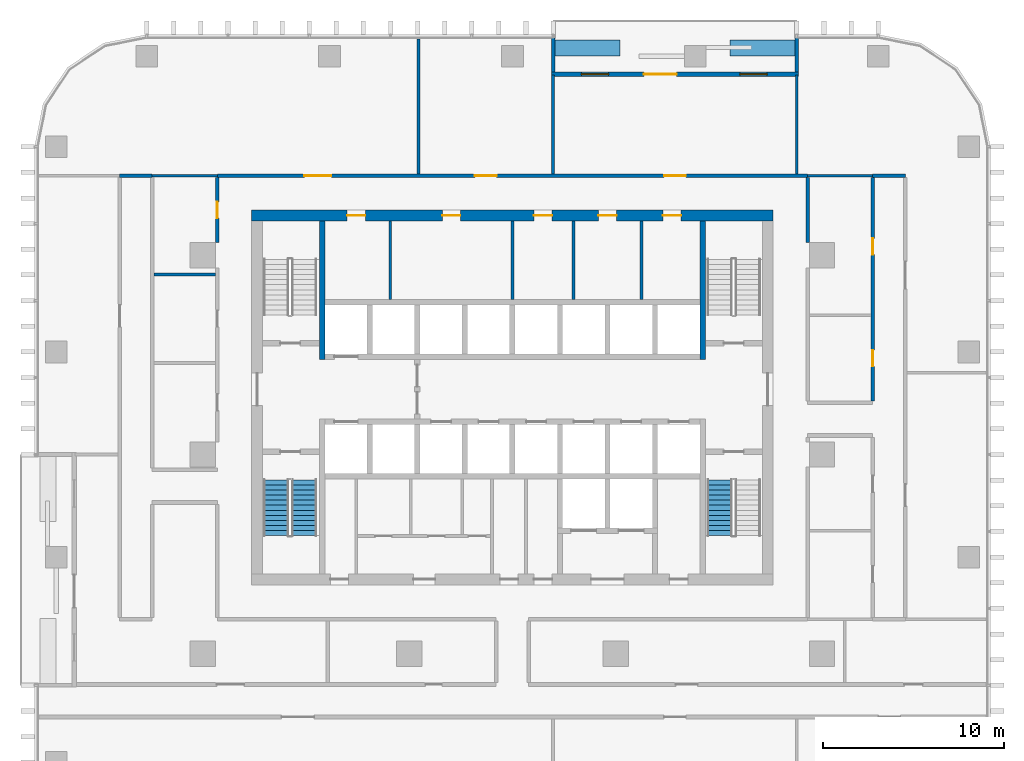
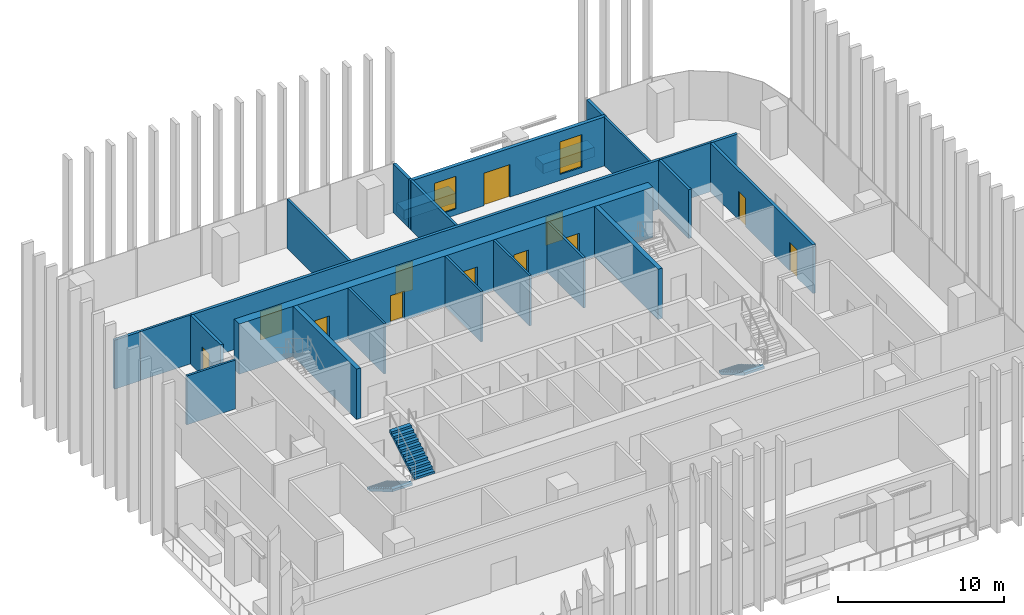
# One storey, part 10 of 16: 24 walls, 12 doors, 3 stair flights, 2 windows, 14 openings, 2 elements without a shape of their own.
"""IFC4 building model written with IfcOpenShell, lengths in metres."""

import ifcopenshell
import ifcopenshell.guid

model = None  # the IFC model being written
_history = None  # IfcOwnerHistory: only IFC2X3 demands one
_inside = {}  # id of a spatial element -> (the spatial element, [elements in it])
_under = {}  # id of a project, library or spatial element -> (it, [spatial elements below it])
_declared = {}  # id of a project -> (the project, [libraries it declares])
_typed = {}  # id of a type object -> (the type object, [elements of that type])
_made_of = {}  # id of a material, layer set ... -> (it, [elements and type objects made of it])


def new_model(schema):
    """Start an empty IFC model of exactly this schema.

    Asked for "IFC4X3", IfcOpenShell would pick the latest addendum, in which some entities
    have other attributes; the version numbers below select the first issue.
    IFC2X3 requires an IfcOwnerHistory on every rooted entity: one is made here for all.
    """
    global model, _history
    if schema == "IFC4X3":
        model = ifcopenshell.file(schema_version=(4, 3, 0, 0))
    else:
        model = ifcopenshell.file(schema=schema)
    _inside.clear()
    _under.clear()
    _declared.clear()
    _typed.clear()
    _made_of.clear()
    _history = None
    if model.schema == "IFC2X3":
        org = make("IfcOrganization", Name="unknown")
        user = make(
            "IfcPersonAndOrganization",
            ThePerson=make("IfcPerson", FamilyName="unknown"),
            TheOrganization=org,
        )
        app = make(
            "IfcApplication",
            ApplicationDeveloper=org,
            Version="unknown",
            ApplicationFullName="unknown",
            ApplicationIdentifier="unknown",
        )
        _history = make(
            "IfcOwnerHistory",
            OwningUser=user,
            OwningApplication=app,
            ChangeAction="ADDED",
            CreationDate=0,
        )
    return model


def make(cls, **values):
    """One entity of the class cls with the attributes given. An attribute that is None is left unset."""
    return model.create_entity(
        cls, **{name: value for name, value in values.items() if value is not None}
    )


def rooted(cls, **values):
    """An entity with a GlobalId (a new one), such as an element, a storey or a relation."""
    return make(cls, GlobalId=ifcopenshell.guid.new(), OwnerHistory=_history, **values)


def si_unit(unit_type, name, prefix=None):
    """IfcSIUnit, for example si_unit("LENGTHUNIT", "METRE", prefix="MILLI")."""
    return make("IfcSIUnit", UnitType=unit_type, Prefix=prefix, Name=name)


def assignment(units):
    """IfcUnitAssignment: the units of a project."""
    return None if units is None else make("IfcUnitAssignment", Units=units)


def point(xyz):
    """IfcCartesianPoint."""
    return None if xyz is None else make("IfcCartesianPoint", Coordinates=xyz)


def direction(xyz):
    """IfcDirection."""
    return None if xyz is None else make("IfcDirection", DirectionRatios=xyz)


def frame(location, z_axis=None, x_axis=None):
    """IfcAxis2Placement3D, a coordinate frame: its origin and axes. An axis left out is left unset."""
    return make(
        "IfcAxis2Placement3D",
        Location=point(location),
        Axis=direction(z_axis),
        RefDirection=direction(x_axis),
    )


def frame_2d(location, x_axis=None):
    """IfcAxis2Placement2D, a coordinate frame in the plane: its origin and x axis."""
    return make(
        "IfcAxis2Placement2D", Location=point(location), RefDirection=direction(x_axis)
    )


def origin():
    """The frame at (0, 0, 0) with its axes left unset."""
    return frame((0.0, 0.0, 0.0))


def place(relative_to, where):
    """IfcLocalPlacement: puts the frame where relative to a parent placement (None: the world)."""
    return make(
        "IfcLocalPlacement", PlacementRelTo=relative_to, RelativePlacement=where
    )


def context(
    kind, dimensions, precision=None, world=None, true_north=None, identifier=None
):
    """IfcGeometricRepresentationContext, for example the 3D "Model" context."""
    return make(
        "IfcGeometricRepresentationContext",
        ContextIdentifier=identifier,
        ContextType=kind,
        CoordinateSpaceDimension=dimensions,
        Precision=precision,
        WorldCoordinateSystem=world,
        TrueNorth=true_north,
    )


def subcontext(parent, identifier, kind, view, scale=None):
    """IfcGeometricRepresentationSubContext, for example "Body" below "Model"."""
    return make(
        "IfcGeometricRepresentationSubContext",
        ContextIdentifier=identifier,
        ContextType=kind,
        ParentContext=parent,
        TargetScale=scale,
        TargetView=view,
    )


def project(units=None, contexts=None):
    """IfcProject with its units and contexts."""
    return rooted(
        "IfcProject",
        Name="project",
        RepresentationContexts=contexts,
        UnitsInContext=assignment(units),
    )


def spatial(cls, under=None, at=None, **own):
    """A site, building, storey or space (cls), placed at a placement, below another one or the project."""
    s = rooted(cls, ObjectPlacement=at, **own)
    if under is not None:
        _under.setdefault(under.id(), (under, []))[1].append(s)
    return s


def polyline(points):
    """IfcPolyline through the points."""
    return make("IfcPolyline", Points=[point(p) for p in points])


def profile(cls, at=None, kind="AREA", **sizes):
    """A parametric profile (cls). Its sizes go by their IFC names, for example OverallWidth=200.0."""
    return make(cls, ProfileType=kind, Position=at, **sizes)


def rectangle(**sizes):
    """IfcRectangleProfileDef."""
    return profile("IfcRectangleProfileDef", **sizes)


def outline(outer, holes=None, kind="AREA"):
    """IfcArbitraryClosedProfileDef: a profile drawn as a closed curve; with holes, ...WithVoids."""
    if holes is None:
        return make("IfcArbitraryClosedProfileDef", ProfileType=kind, OuterCurve=outer)
    return make(
        "IfcArbitraryProfileDefWithVoids",
        ProfileType=kind,
        OuterCurve=outer,
        InnerCurves=holes,
    )


def extrude(swept, where, along, depth):
    """IfcExtrudedAreaSolid: the profile swept, set in the frame where, extruded along a direction by depth."""
    return make(
        "IfcExtrudedAreaSolid",
        SweptArea=swept,
        Position=where,
        ExtrudedDirection=direction(along),
        Depth=depth,
    )


def shape(context_of_items, identifier, shape_type, items):
    """IfcShapeRepresentation: the items that make up one representation, for example the "Body"."""
    return make(
        "IfcShapeRepresentation",
        ContextOfItems=context_of_items,
        RepresentationIdentifier=identifier,
        RepresentationType=shape_type,
        Items=items,
    )


def material(Name=None, Category=None):
    """IfcMaterial."""
    return make("IfcMaterial", Name=Name, Category=Category)


def layer(
    of_material, thickness, ventilated=None, Name=None, Category=None, Priority=None
):
    """IfcMaterialLayer: one layer of a wall or slab, of a material (None: an air gap)."""
    return make(
        "IfcMaterialLayer",
        Material=of_material,
        LayerThickness=thickness,
        IsVentilated=ventilated,
        Name=Name,
        Category=Category,
        Priority=Priority,
    )


def layer_set(layers, Name=None):
    """IfcMaterialLayerSet."""
    return make("IfcMaterialLayerSet", MaterialLayers=layers, LayerSetName=Name)


def made_of(thing, what):
    """Note that an element or type object is made of a material, layer set ...; save() writes the relation."""
    if what is not None:
        _made_of.setdefault(what.id(), (what, []))[1].append(thing)
    return thing


def type_object(cls, material=None, **own):
    """A type object (cls), such as IfcWallType, which elements share."""
    return made_of(rooted(cls, **own), material)


def element(
    cls,
    number,
    at=None,
    inside=None,
    cuts=None,
    type_object=None,
    material=None,
    context=None,
    identifier="Body",
    shape_type=None,
    held_by="IfcProductDefinitionShape",
    body=None,
    shapes=None,
    **own,
):
    """One element of the class cls, such as IfcWall. Its Tag is "e" and its number.

    at: its placement. inside: the storey or other place that contains it. cuts: it is an
    opening in that element (IfcRelVoidsElement). A single representation is given by context,
    identifier, shape_type and body (its items); several are given by shapes. held_by: the class
    of the entity that holds the representations. save() writes the other relations.
    """
    e = rooted(cls, Tag="e%d" % number, ObjectPlacement=at, **own)
    if body is not None:
        shapes = [shape(context, identifier, shape_type, body)]
    if shapes is not None:
        e.Representation = make(held_by, Representations=shapes)
    if inside is not None:
        _inside.setdefault(inside.id(), (inside, []))[1].append(e)
    if cuts is not None:
        rooted(
            "IfcRelVoidsElement", RelatingBuildingElement=cuts, RelatedOpeningElement=e
        )
    if type_object is not None:
        _typed.setdefault(type_object.id(), (type_object, []))[1].append(e)
    return made_of(e, material)


def fill(opening, filler):
    """IfcRelFillsElement: the door or window that sits in an opening."""
    return rooted(
        "IfcRelFillsElement",
        RelatingOpeningElement=opening,
        RelatedBuildingElement=filler,
    )


def aggregate(whole, parts):
    """IfcRelAggregates: a whole, such as a stair, and the parts it consists of."""
    return rooted("IfcRelAggregates", RelatingObject=whole, RelatedObjects=parts)


def save(model, path):
    """Write the relations noted so far, then the file.

    IfcRelAggregates (storeys below a building ...), IfcRelContainedInSpatialStructure (elements
    in a storey), IfcRelDefinesByType, IfcRelAssociatesMaterial and IfcRelDeclares: one each for
    every whole, place, type object, material and project.
    """
    for whole, parts in _under.values():
        aggregate(whole, parts)
    for where, things in _inside.values():
        rooted(
            "IfcRelContainedInSpatialStructure",
            RelatedElements=things,
            RelatingStructure=where,
        )
    for kind, things in _typed.values():
        rooted("IfcRelDefinesByType", RelatedObjects=things, RelatingType=kind)
    for what, things in _made_of.values():
        rooted("IfcRelAssociatesMaterial", RelatedObjects=things, RelatingMaterial=what)
    for by, libraries in _declared.values():
        rooted("IfcRelDeclares", RelatingContext=by, RelatedDefinitions=libraries)
    model.write(path)


model = new_model("IFC4")

# Units and contexts
model_context = context("Model", 3, precision=1e-05, world=origin(), true_north=direction((0.0, 1.0)))
body_context = subcontext(model_context, "Body", "Model", "MODEL_VIEW")
ifc_project = project(units=[si_unit("LENGTHUNIT", "METRE"), si_unit("AREAUNIT", "SQUARE_METRE"), si_unit("VOLUMEUNIT", "CUBIC_METRE"), si_unit("PLANEANGLEUNIT", "RADIAN"), si_unit("MASSUNIT", "GRAM", prefix="KILO")], contexts=[model_context])

# Site, building, storey
site_placement = place(None, origin())
site = spatial("IfcSite", under=ifc_project, at=site_placement, CompositionType="ELEMENT")
building_placement = place(site_placement, origin())
building = spatial("IfcBuilding", under=site, at=building_placement, Name="Mopane Tessera Tower", CompositionType="ELEMENT")
storey_placement = place(building_placement, frame((0.0, 0.0, 181.0)))
storey = spatial("IfcBuildingStorey", under=building, at=storey_placement, Name="L37", CompositionType="ELEMENT", Elevation=181.0)

# Walls
ifc_material_1 = material(Name="Fire-rated gypsum board partition")
ifc_layer_1 = layer(ifc_material_1, 0.14990234375)
ifc_layer_set_1 = layer_set([ifc_layer_1], Name="Fire-rated gypsum board partition")
wall_type_1 = type_object("IfcWallType", Name="Core room partition 150 mm", PredefinedType="PARTITIONING", material=ifc_layer_set_1)
for number, where, z_axis, x_axis, name in (
    (1, (-6.75, 8.550048828125, 0.0), (0.0, 0.0, 1.0), (0.0, 1.0, 0.0), "L37 Room partition"),
    (2, (0.0, 8.550048828125, 0.0), (0.0, 0.0, 1.0), (0.0, 1.0, 0.0), "L37 Room partition"),
    (3, (3.375, 8.550048828125, 0.0), (0.0, 0.0, 1.0), (0.0, 1.0, 0.0), "L37 Room partition"),
    (4, (7.125, 8.550048828125, 0.0), (0.0, 0.0, 1.0), (0.0, 1.0, 0.0), "L37 Room partition"),
):
    element("IfcWall", number, at=place(storey_placement, frame(where, z_axis=z_axis, x_axis=x_axis)), inside=storey, type_object=wall_type_1, Name=name, PredefinedType="PARTITIONING", context=body_context, shape_type="SweptSolid", body=[
        extrude(rectangle(XDim=4.349853515625, YDim=0.14990234375, at=frame_2d((2.1748046875, 0.0))), origin(), (0.0, 0.0, 1.0), 3.699951171875),
    ])

# Wall, openings, doors
ifc_material_2 = material(Name="Concrete C70/85", Category="concrete")
ifc_layer_2 = layer(ifc_material_2, 0.60009765625)
ifc_layer_set_2 = layer_set([ifc_layer_2], Name="Concrete C70/85")
wall_type_2 = type_object("IfcWallType", Name="Core shear wall 600 mm", PredefinedType="SHEAR", material=ifc_layer_set_2)
wall_1_placement = place(storey_placement, frame((-14.39990234375, 13.199951171875, 0.0), z_axis=(0.0, 0.0, 1.0), x_axis=(1.0, 0.0, 0.0)))
wall_1 = element("IfcWall", 5, at=wall_1_placement, inside=storey, type_object=wall_type_2, Name="L37 Core wall north", PredefinedType="SHEAR", context=body_context, shape_type="SweptSolid", body=[
    extrude(rectangle(XDim=28.7998046875, YDim=0.60009765625, at=frame_2d((14.39990234375, 0.0))), origin(), (0.0, 0.0, 1.0), 3.699951171875),
])
opening_1_placement = place(wall_1_placement, frame((5.27490234375, 0.0, 0.0)))
opening_1 = element("IfcOpeningElement", 6, at=opening_1_placement, cuts=wall_1, Name="Opening RD1", PredefinedType="OPENING", context=body_context, shape_type="SweptSolid", body=[
    extrude(rectangle(XDim=1.0, YDim=2.10009765625, at=frame_2d((0.5, 1.050048828125))), frame((0.0, 0.31201171875, 0.0), z_axis=(0.0, -1.0, 0.0), x_axis=(1.0, 0.0, 0.0)), (0.0, 0.0, 1.0), 0.6240234375),
])
opening_2_placement = place(wall_1_placement, frame((10.52490234375, 0.0, 0.0)))
opening_2 = element("IfcOpeningElement", 7, at=opening_2_placement, cuts=wall_1, Name="Opening RD1", PredefinedType="OPENING", context=body_context, shape_type="SweptSolid", body=[
    extrude(rectangle(XDim=1.0, YDim=2.10009765625, at=frame_2d((0.5, 1.050048828125))), frame((0.0, 0.31201171875, 0.0), z_axis=(0.0, -1.0, 0.0), x_axis=(1.0, 0.0, 0.0)), (0.0, 0.0, 1.0), 0.6240234375),
])
opening_3_placement = place(wall_1_placement, frame((15.58740234375, 0.0, 0.0)))
opening_3 = element("IfcOpeningElement", 8, at=opening_3_placement, cuts=wall_1, Name="Opening RD1", PredefinedType="OPENING", context=body_context, shape_type="SweptSolid", body=[
    extrude(rectangle(XDim=1.0, YDim=2.10009765625, at=frame_2d((0.5, 1.050048828125))), frame((0.0, 0.31201171875, 0.0), z_axis=(0.0, -1.0, 0.0), x_axis=(1.0, 0.0, 0.0)), (0.0, 0.0, 1.0), 0.6240234375),
])
opening_4_placement = place(wall_1_placement, frame((19.14990234375, 0.0, 0.0)))
opening_4 = element("IfcOpeningElement", 9, at=opening_4_placement, cuts=wall_1, Name="Opening RD1", PredefinedType="OPENING", context=body_context, shape_type="SweptSolid", body=[
    extrude(rectangle(XDim=1.0, YDim=2.10009765625, at=frame_2d((0.5, 1.050048828125))), frame((0.0, 0.31201171875, 0.0), z_axis=(0.0, -1.0, 0.0), x_axis=(1.0, 0.0, 0.0)), (0.0, 0.0, 1.0), 0.6240234375),
])
opening_5_placement = place(wall_1_placement, frame((22.71240234375, 0.0, 0.0)))
opening_5 = element("IfcOpeningElement", 10, at=opening_5_placement, cuts=wall_1, Name="Opening RD1", PredefinedType="OPENING", context=body_context, shape_type="SweptSolid", body=[
    extrude(rectangle(XDim=1.0, YDim=2.10009765625, at=frame_2d((0.5, 1.050048828125))), frame((0.0, 0.31201171875, 0.0), z_axis=(0.0, -1.0, 0.0), x_axis=(1.0, 0.0, 0.0)), (0.0, 0.0, 1.0), 0.6240234375),
])
ifc_material_3 = material(Name="Timber door", Category="wood")
door_type_1 = type_object("IfcDoorType", Name="Core room door 1000 x 2100", OperationType="SINGLE_SWING_LEFT", PredefinedType="DOOR", material=ifc_material_3)
door_1_placement = place(opening_1_placement, origin())
door_1 = element("IfcDoor", 11, at=door_1_placement, inside=storey, type_object=door_type_1, Name="L37 Room door", OperationType="SINGLE_SWING_LEFT", OverallHeight=2.10009765625, OverallWidth=1.0, PredefinedType="DOOR", context=body_context, shape_type="SweptSolid", body=[
    extrude(rectangle(XDim=1.0, YDim=2.10009765625, at=frame_2d((0.5, 1.050048828125))), frame((0.0, 0.02490234375, 0.0), z_axis=(0.0, -1.0, 0.0), x_axis=(1.0, 0.0, 0.0)), (0.0, 0.0, 1.0), 0.050048828125),
])
fill(opening_1, door_1)
door_2_placement = place(opening_2_placement, origin())
door_2 = element("IfcDoor", 12, at=door_2_placement, inside=storey, type_object=door_type_1, Name="L37 Room door", OperationType="SINGLE_SWING_LEFT", OverallHeight=2.10009765625, OverallWidth=1.0, PredefinedType="DOOR", context=body_context, shape_type="SweptSolid", body=[
    extrude(rectangle(XDim=1.0, YDim=2.10009765625, at=frame_2d((0.5, 1.050048828125))), frame((0.0, 0.02490234375, 0.0), z_axis=(0.0, -1.0, 0.0), x_axis=(1.0, 0.0, 0.0)), (0.0, 0.0, 1.0), 0.050048828125),
])
fill(opening_2, door_2)
door_3_placement = place(opening_3_placement, origin())
door_3 = element("IfcDoor", 13, at=door_3_placement, inside=storey, type_object=door_type_1, Name="L37 Room door", OperationType="SINGLE_SWING_LEFT", OverallHeight=2.10009765625, OverallWidth=1.0, PredefinedType="DOOR", context=body_context, shape_type="SweptSolid", body=[
    extrude(rectangle(XDim=1.0, YDim=2.10009765625, at=frame_2d((0.5, 1.050048828125))), frame((0.0, 0.02490234375, 0.0), z_axis=(0.0, -1.0, 0.0), x_axis=(1.0, 0.0, 0.0)), (0.0, 0.0, 1.0), 0.050048828125),
])
fill(opening_3, door_3)
door_4_placement = place(opening_4_placement, origin())
door_4 = element("IfcDoor", 14, at=door_4_placement, inside=storey, type_object=door_type_1, Name="L37 Room door", OperationType="SINGLE_SWING_LEFT", OverallHeight=2.10009765625, OverallWidth=1.0, PredefinedType="DOOR", context=body_context, shape_type="SweptSolid", body=[
    extrude(rectangle(XDim=1.0, YDim=2.10009765625, at=frame_2d((0.5, 1.050048828125))), frame((0.0, 0.02490234375, 0.0), z_axis=(0.0, -1.0, 0.0), x_axis=(1.0, 0.0, 0.0)), (0.0, 0.0, 1.0), 0.050048828125),
])
fill(opening_4, door_4)
door_5_placement = place(opening_5_placement, origin())
door_5 = element("IfcDoor", 15, at=door_5_placement, inside=storey, type_object=door_type_1, Name="L37 Room door", OperationType="SINGLE_SWING_LEFT", OverallHeight=2.10009765625, OverallWidth=1.0, PredefinedType="DOOR", context=body_context, shape_type="SweptSolid", body=[
    extrude(rectangle(XDim=1.0, YDim=2.10009765625, at=frame_2d((0.5, 1.050048828125))), frame((0.0, 0.02490234375, 0.0), z_axis=(0.0, -1.0, 0.0), x_axis=(1.0, 0.0, 0.0)), (0.0, 0.0, 1.0), 0.050048828125),
])
fill(opening_5, door_5)

# Walls
ifc_material_4 = material(Name="Concrete C60/75", Category="concrete")
ifc_layer_3 = layer(ifc_material_4, 0.300048828125)
ifc_layer_set_3 = layer_set([ifc_layer_3], Name="Concrete C60/75")
wall_type_3 = type_object("IfcWallType", Name="Core spine wall 300 mm", PredefinedType="SHEAR", material=ifc_layer_set_3)
for number, where, z_axis, x_axis, name in (
    (16, (-10.5, 5.25, 0.0), (0.0, 0.0, 1.0), (0.0, 1.0, 0.0), "L37 Core spine wall"),
    (17, (10.5, 5.25, 0.0), (0.0, 0.0, 1.0), (0.0, 1.0, 0.0), "L37 Core spine wall"),
):
    element("IfcWall", number, at=place(storey_placement, frame(where, z_axis=z_axis, x_axis=x_axis)), inside=storey, type_object=wall_type_3, Name=name, PredefinedType="SHEAR", context=body_context, shape_type="SweptSolid", body=[
        extrude(rectangle(XDim=7.64990234375, YDim=0.300048828125, at=frame_2d((3.824951171875, 0.0))), origin(), (0.0, 0.0, 1.0), 3.699951171875),
    ])
ifc_material_5 = material(Name="Gypsum board on staggered steel studs, double layer each face, acoustic mineral wool infill", Category="steel")
ifc_layer_4 = layer(ifc_material_5, 0.175048828125)
ifc_layer_set_4 = layer_set([ifc_layer_4], Name="Gypsum board on staggered steel studs, double layer each face, acoustic mineral wool infill")
wall_type_4 = type_object("IfcWallType", Name="Gypsum board acoustic partition 175, rated EI 60", PredefinedType="PARTITIONING", material=ifc_layer_set_4)
wall_2_placement = place(storey_placement, frame((-5.18994140625, 15.5, 0.0), z_axis=(0.0, 0.0, 1.0), x_axis=(0.0, 1.0, 0.0)))
element("IfcWall", 18, at=wall_2_placement, inside=storey, type_object=wall_type_4, Name="Partition L37:032", PredefinedType="PARTITIONING", context=body_context, shape_type="SweptSolid", body=[
    extrude(rectangle(XDim=7.449951171875, YDim=0.175048828125, at=frame_2d((3.72509765625, 0.0))), origin(), (0.0, 0.0, 1.0), 3.60009765625),
])
wall_3_placement = place(storey_placement, frame((2.2451171875, 15.5, 0.0), z_axis=(0.0, 0.0, 1.0), x_axis=(0.0, 1.0, 0.0)))
element("IfcWall", 19, at=wall_3_placement, inside=storey, type_object=wall_type_4, Name="Partition L37:036", PredefinedType="PARTITIONING", context=body_context, shape_type="SweptSolid", body=[
    extrude(rectangle(XDim=5.449951171875, YDim=0.175048828125, at=frame_2d((2.72509765625, 0.0))), origin(), (0.0, 0.0, 1.0), 3.60009765625),
])
ifc_material_6 = material(Name="Gypsum board on steel studs, two layers each face, mineral wool infill", Category="steel")
ifc_layer_5 = layer(ifc_material_6, 0.199951171875)
ifc_layer_set_5 = layer_set([ifc_layer_5], Name="Gypsum board on steel studs, two layers each face, mineral wool infill")
wall_type_5 = type_object("IfcWallType", Name="Gypsum board corridor wall 200, rated EI 60", PredefinedType="PARTITIONING", material=ifc_layer_set_5)
wall_4_placement = place(storey_placement, frame((-21.699951171875, 15.39990234375, 0.0), z_axis=(0.0, 0.0, 1.0), x_axis=(1.0, 0.0, 0.0)))
element("IfcWall", 20, at=wall_4_placement, inside=storey, type_object=wall_type_5, Name="Partition L37:022", PredefinedType="PARTITIONING", context=body_context, shape_type="SweptSolid", body=[
    extrude(rectangle(XDim=1.800048828125, YDim=0.199951171875, at=frame_2d((0.89990234375, 0.0))), origin(), (0.0, 0.0, 1.0), 3.60009765625),
])

# Wall, openings, doors
wall_5_placement = place(storey_placement, frame((-16.300048828125, 15.39990234375, 0.0), z_axis=(0.0, 0.0, 1.0), x_axis=(1.0, 0.0, 0.0)))
wall_5 = element("IfcWall", 21, at=wall_5_placement, inside=storey, type_object=wall_type_5, Name="Partition L37:023", PredefinedType="PARTITIONING", context=body_context, shape_type="SweptSolid", body=[
    extrude(rectangle(XDim=32.60009765625, YDim=0.199951171875, at=frame_2d((16.300048828125, 0.0))), origin(), (0.0, 0.0, 1.0), 3.60009765625),
])
opening_6_placement = place(wall_5_placement, frame((24.677490234375, 0.0, 0.0)))
opening_6 = element("IfcOpeningElement", 22, at=opening_6_placement, cuts=wall_5, Name="Opening L37-13", PredefinedType="OPENING", context=body_context, shape_type="SweptSolid", body=[
    extrude(rectangle(XDim=1.199951171875, YDim=2.10009765625, at=frame_2d((0.60009765625, 1.050048828125))), frame((0.0, 0.112060546875, 0.0), z_axis=(0.0, -1.0, 0.0), x_axis=(1.0, 0.0, 0.0)), (0.0, 0.0, 1.0), 0.223876953125),
])
opening_7_placement = place(wall_5_placement, frame((4.804931640625, 0.0, 0.0)))
opening_7 = element("IfcOpeningElement", 23, at=opening_7_placement, cuts=wall_5, Name="Opening L37-19", PredefinedType="OPENING", context=body_context, shape_type="SweptSolid", body=[
    extrude(rectangle(XDim=1.5, YDim=2.10009765625, at=frame_2d((0.75, 1.050048828125))), frame((0.0, 0.112060546875, 0.0), z_axis=(0.0, -1.0, 0.0), x_axis=(1.0, 0.0, 0.0)), (0.0, 0.0, 1.0), 0.223876953125),
])
opening_8_placement = place(wall_5_placement, frame((14.2275390625, 0.0, 0.0)))
opening_8 = element("IfcOpeningElement", 24, at=opening_8_placement, cuts=wall_5, Name="Opening L37-20", PredefinedType="OPENING", context=body_context, shape_type="SweptSolid", body=[
    extrude(rectangle(XDim=1.199951171875, YDim=2.10009765625, at=frame_2d((0.60009765625, 1.050048828125))), frame((0.0, 0.112060546875, 0.0), z_axis=(0.0, -1.0, 0.0), x_axis=(1.0, 0.0, 0.0)), (0.0, 0.0, 1.0), 0.223876953125),
])
ifc_material_7 = material(Name="Timber veneered steel-framed fire door", Category="steel")
door_type_2 = type_object("IfcDoorType", Name="Fire door FD60 1200 x 2100", OperationType="SINGLE_SWING_LEFT", PredefinedType="DOOR", material=ifc_material_7)
door_6_placement = place(opening_6_placement, origin())
door_6 = element("IfcDoor", 25, at=door_6_placement, inside=storey, type_object=door_type_2, Name="Door L37-13", ObjectType="D15A", OperationType="SINGLE_SWING_RIGHT", OverallHeight=2.10009765625, OverallWidth=1.199951171875, PredefinedType="DOOR", context=body_context, shape_type="SweptSolid", body=[
    extrude(rectangle(XDim=1.199951171875, YDim=2.10009765625, at=frame_2d((0.60009765625, 1.050048828125))), frame((0.0, 0.02490234375, 0.0), z_axis=(0.0, -1.0, 0.0), x_axis=(1.0, 0.0, 0.0)), (0.0, 0.0, 1.0), 0.050048828125),
])
fill(opening_6, door_6)
door_7_placement = place(opening_8_placement, origin())
door_7 = element("IfcDoor", 26, at=door_7_placement, inside=storey, type_object=door_type_2, Name="Door L37-20", ObjectType="D15A", OperationType="SINGLE_SWING_LEFT", OverallHeight=2.10009765625, OverallWidth=1.199951171875, PredefinedType="DOOR", context=body_context, shape_type="SweptSolid", body=[
    extrude(rectangle(XDim=1.199951171875, YDim=2.10009765625, at=frame_2d((0.60009765625, 1.050048828125))), frame((0.0, 0.02490234375, 0.0), z_axis=(0.0, -1.0, 0.0), x_axis=(1.0, 0.0, 0.0)), (0.0, 0.0, 1.0), 0.050048828125),
])
fill(opening_8, door_7)
ifc_material_8 = material(Name="Timber veneered steel-framed fire door", Category="steel")
door_type_3 = type_object("IfcDoorType", Name="Fire door pair FD60 1500 x 2100", OperationType="DOUBLE_DOOR_SINGLE_SWING", PredefinedType="DOOR", material=ifc_material_8)
door_8_placement = place(opening_7_placement, origin())
door_8 = element("IfcDoor", 27, at=door_8_placement, inside=storey, type_object=door_type_3, Name="Door L37-19", ObjectType="D17A", OperationType="DOUBLE_DOOR_SINGLE_SWING", OverallHeight=2.10009765625, OverallWidth=1.5, PredefinedType="DOOR", context=body_context, shape_type="SweptSolid", body=[
    extrude(rectangle(XDim=1.5, YDim=2.10009765625, at=frame_2d((0.75, 1.050048828125))), frame((0.0, 0.02490234375, 0.0), z_axis=(0.0, -1.0, 0.0), x_axis=(1.0, 0.0, 0.0)), (0.0, 0.0, 1.0), 0.050048828125),
])
fill(opening_7, door_8)

# Wall
wall_6_placement = place(storey_placement, frame((19.89990234375, 15.39990234375, 0.0), z_axis=(0.0, 0.0, 1.0), x_axis=(1.0, 0.0, 0.0)))
element("IfcWall", 28, at=wall_6_placement, inside=storey, type_object=wall_type_5, Name="Partition L37:024", PredefinedType="PARTITIONING", context=body_context, shape_type="SweptSolid", body=[
    extrude(rectangle(XDim=1.800048828125, YDim=0.199951171875, at=frame_2d((0.89990234375, 0.0))), origin(), (0.0, 0.0, 1.0), 3.60009765625),
])

# Wall, opening, door
wall_7_placement = place(storey_placement, frame((-16.300048828125, 11.699951171875, 0.0), z_axis=(0.0, 0.0, 1.0), x_axis=(0.0, 1.0, 0.0)))
wall_7 = element("IfcWall", 29, at=wall_7_placement, inside=storey, type_object=wall_type_5, Name="Partition L37:030", PredefinedType="PARTITIONING", context=body_context, shape_type="SweptSolid", body=[
    extrude(rectangle(XDim=3.60009765625, YDim=0.199951171875, at=frame_2d((1.800048828125, 0.0))), origin(), (0.0, 0.0, 1.0), 3.60009765625),
])
opening_9_placement = place(wall_7_placement, frame((1.35009765625, 0.0, 0.0)))
opening_9 = element("IfcOpeningElement", 30, at=opening_9_placement, cuts=wall_7, Name="Opening L37-17", PredefinedType="OPENING", context=body_context, shape_type="SweptSolid", body=[
    extrude(rectangle(XDim=0.89990234375, YDim=2.10009765625, at=frame_2d((0.449951171875, 1.050048828125))), frame((0.0, 0.112060546875, 0.0), z_axis=(0.0, -1.0, 0.0), x_axis=(1.0, 0.0, 0.0)), (0.0, 0.0, 1.0), 0.223876953125),
])
ifc_material_9 = material(Name="Timber veneered steel-framed fire door", Category="steel")
door_type_4 = type_object("IfcDoorType", Name="Fire door FD60 900 x 2100", OperationType="SINGLE_SWING_LEFT", PredefinedType="DOOR", material=ifc_material_9)
door_9_placement = place(opening_9_placement, origin())
door_9 = element("IfcDoor", 31, at=door_9_placement, inside=storey, type_object=door_type_4, Name="Door L37-17", ObjectType="D10A", OperationType="SINGLE_SWING_RIGHT", OverallHeight=2.10009765625, OverallWidth=0.89990234375, PredefinedType="DOOR", context=body_context, shape_type="SweptSolid", body=[
    extrude(rectangle(XDim=0.89990234375, YDim=2.10009765625, at=frame_2d((0.449951171875, 1.050048828125))), frame((0.0, 0.02490234375, 0.0), z_axis=(0.0, -1.0, 0.0), x_axis=(1.0, 0.0, 0.0)), (0.0, 0.0, 1.0), 0.050048828125),
])
fill(opening_9, door_9)

# Wall
wall_8_placement = place(storey_placement, frame((16.300048828125, 11.699951171875, 0.0), z_axis=(0.0, 0.0, 1.0), x_axis=(0.0, 1.0, 0.0)))
element("IfcWall", 32, at=wall_8_placement, inside=storey, type_object=wall_type_5, Name="Partition L37:042", PredefinedType="PARTITIONING", context=body_context, shape_type="SweptSolid", body=[
    extrude(rectangle(XDim=3.60009765625, YDim=0.199951171875, at=frame_2d((1.800048828125, 0.0))), origin(), (0.0, 0.0, 1.0), 3.60009765625),
])

# Wall, openings, doors
wall_9_placement = place(storey_placement, frame((19.89990234375, 2.949951171875, 0.0), z_axis=(0.0, 0.0, 1.0), x_axis=(0.0, 1.0, 0.0)))
wall_9 = element("IfcWall", 33, at=wall_9_placement, inside=storey, type_object=wall_type_5, Name="Partition L37:045", PredefinedType="PARTITIONING", context=body_context, shape_type="SweptSolid", body=[
    extrude(rectangle(XDim=12.35009765625, YDim=0.199951171875, at=frame_2d((6.175048828125, 0.0))), origin(), (0.0, 0.0, 1.0), 3.60009765625),
])
opening_10_placement = place(wall_9_placement, frame((8.092529296875, 0.0, 0.0)))
opening_10 = element("IfcOpeningElement", 34, at=opening_10_placement, cuts=wall_9, Name="Opening L37-06", PredefinedType="OPENING", context=body_context, shape_type="SweptSolid", body=[
    extrude(rectangle(XDim=0.89990234375, YDim=2.10009765625, at=frame_2d((0.449951171875, 1.050048828125))), frame((0.0, 0.112060546875, 0.0), z_axis=(0.0, -1.0, 0.0), x_axis=(1.0, 0.0, 0.0)), (0.0, 0.0, 1.0), 0.223876953125),
])
opening_11_placement = place(wall_9_placement, frame((1.91748046875, 0.0, 0.0)))
opening_11 = element("IfcOpeningElement", 35, at=opening_11_placement, cuts=wall_9, Name="Opening L37-18", PredefinedType="OPENING", context=body_context, shape_type="SweptSolid", body=[
    extrude(rectangle(XDim=0.89990234375, YDim=2.10009765625, at=frame_2d((0.449951171875, 1.050048828125))), frame((0.0, 0.112060546875, 0.0), z_axis=(0.0, -1.0, 0.0), x_axis=(1.0, 0.0, 0.0)), (0.0, 0.0, 1.0), 0.223876953125),
])
door_10_placement = place(opening_10_placement, origin())
door_10 = element("IfcDoor", 36, at=door_10_placement, inside=storey, type_object=door_type_4, Name="Door L37-06", ObjectType="D10A", OperationType="SINGLE_SWING_LEFT", OverallHeight=2.10009765625, OverallWidth=0.89990234375, PredefinedType="DOOR", context=body_context, shape_type="SweptSolid", body=[
    extrude(rectangle(XDim=0.89990234375, YDim=2.10009765625, at=frame_2d((0.449951171875, 1.050048828125))), frame((0.0, 0.02490234375, 0.0), z_axis=(0.0, -1.0, 0.0), x_axis=(1.0, 0.0, 0.0)), (0.0, 0.0, 1.0), 0.050048828125),
])
fill(opening_10, door_10)
door_11_placement = place(opening_11_placement, origin())
door_11 = element("IfcDoor", 37, at=door_11_placement, inside=storey, type_object=door_type_4, Name="Door L37-18", ObjectType="D10A", OperationType="SINGLE_SWING_LEFT", OverallHeight=2.10009765625, OverallWidth=0.89990234375, PredefinedType="DOOR", context=body_context, shape_type="SweptSolid", body=[
    extrude(rectangle(XDim=0.89990234375, YDim=2.10009765625, at=frame_2d((0.449951171875, 1.050048828125))), frame((0.0, 0.02490234375, 0.0), z_axis=(0.0, -1.0, 0.0), x_axis=(1.0, 0.0, 0.0)), (0.0, 0.0, 1.0), 0.050048828125),
])
fill(opening_11, door_11)

# Walls
ifc_material_10 = material(Name="Gypsum board on steel studs, mineral wool infill", Category="steel")
ifc_layer_6 = layer(ifc_material_10, 0.14990234375)
ifc_layer_set_6 = layer_set([ifc_layer_6], Name="Gypsum board on steel studs, mineral wool infill")
wall_type_6 = type_object("IfcWallType", Name="Gypsum board partition 150, rated EI 60", PredefinedType="PARTITIONING", material=ifc_layer_set_6)
wall_10_placement = place(storey_placement, frame((-19.800048828125, 9.945068359375, 0.0), z_axis=(0.0, 0.0, 1.0), x_axis=(1.0, 0.0, 0.0)))
element("IfcWall", 38, at=wall_10_placement, inside=storey, type_object=wall_type_6, Name="Partition L37:018", PredefinedType="PARTITIONING", context=body_context, shape_type="SweptSolid", body=[
    extrude(rectangle(XDim=3.400146484375, YDim=0.14990234375, at=frame_2d((1.7001953125, 0.0))), origin(), (0.0, 0.0, 1.0), 3.60009765625),
])
for number, where, z_axis, x_axis, name in (
    (39, (-19.89990234375, 15.39990234375, 0.0), (0.0, 0.0, 1.0), (1.0, 0.0, 0.0), "Partition L37:020"),
    (40, (16.300048828125, 15.39990234375, 0.0), (0.0, 0.0, 1.0), (1.0, 0.0, 0.0), "Partition L37:021"),
):
    element("IfcWall", number, at=place(storey_placement, frame(where, z_axis=z_axis, x_axis=x_axis)), inside=storey, type_object=wall_type_6, Name=name, PredefinedType="PARTITIONING", context=body_context, shape_type="SweptSolid", body=[
        extrude(rectangle(XDim=3.599853515625, YDim=0.14990234375, at=frame_2d((1.7998046875, 0.0))), origin(), (0.0, 0.0, 1.0), 3.60009765625),
    ])
wall_11_placement = place(storey_placement, frame((15.7099609375, 15.5, 0.0), z_axis=(0.0, 0.0, 1.0), x_axis=(0.0, 1.0, 0.0)))
element("IfcWall", 41, at=wall_11_placement, inside=storey, type_object=wall_type_6, Name="Partition L37:038", PredefinedType="PARTITIONING", context=body_context, shape_type="SweptSolid", body=[
    extrude(rectangle(XDim=5.449951171875, YDim=0.14990234375, at=frame_2d((2.72509765625, 0.0))), origin(), (0.0, 0.0, 1.0), 3.60009765625),
])
ifc_material_11 = material(Name="Reinforced concrete C32/40 with waterproofing", Category="concrete")
ifc_layer_7 = layer(ifc_material_11, 0.89990234375)
ifc_layer_set_7 = layer_set([ifc_layer_7], Name="Reinforced concrete C32/40 with waterproofing")
wall_type_7 = type_object("IfcWallType", Name="Planter trough 3600 x 900", PredefinedType="STANDARD", material=ifc_layer_set_7)
for number, where, z_axis, x_axis, name in (
    (42, (15.611083984375, 22.449951171875, 0.0), (0.0, 0.0, 1.0), (-1.0, 0.0, 0.0), "e:nw:L37:N3:pl0"),
    (43, (5.9443359375, 22.449951171875, 0.0), (0.0, 0.0, 1.0), (-1.0, 0.0, 0.0), "e:nw:L37:N3:pl1"),
):
    element("IfcWall", number, at=place(storey_placement, frame(where, z_axis=z_axis, x_axis=x_axis)), inside=storey, type_object=wall_type_7, Name=name, PredefinedType="STANDARD", context=body_context, shape_type="SweptSolid", body=[
        extrude(rectangle(XDim=3.599853515625, YDim=0.89990234375, at=frame_2d((1.7998046875, 0.0))), origin(), (0.0, 0.0, 1.0), 0.699951171875),
    ])
ifc_material_12 = material(Name="Blockwork with glazed tile facing", Category="masonry")
ifc_layer_8 = layer(ifc_material_12, 0.199951171875)
ifc_layer_set_8 = layer_set([ifc_layer_8], Name="Blockwork with glazed tile facing")
wall_type_8 = type_object("IfcWallType", Name="Terrace cheek wall 200", PredefinedType="STANDARD", material=ifc_layer_set_8)
for number, where, z_axis, x_axis, name in (
    (44, (15.711181640625, 23.0, 0.0), (0.0, 0.0, 1.0), (0.0, -1.0, 0.0), "e:nw:L37:N3:cheeka"),
    (45, (2.244384765625, 23.0, 0.0), (0.0, 0.0, 1.0), (0.0, -1.0, 0.0), "e:nw:L37:N3:cheekb"),
):
    element("IfcWall", number, at=place(storey_placement, frame(where, z_axis=z_axis, x_axis=x_axis)), inside=storey, type_object=wall_type_8, Name=name, PredefinedType="STANDARD", context=body_context, shape_type="SweptSolid", body=[
        extrude(rectangle(XDim=1.875, YDim=0.199951171875, at=frame_2d((0.9375, 0.0))), origin(), (0.0, 0.0, 1.0), 3.60009765625),
    ])

# Wall, openings, windows, door
ifc_material_13 = material(Name="Blockwork with turquoise glazed tile facing", Category="masonry")
ifc_layer_9 = layer(ifc_material_13, 0.25)
ifc_layer_set_9 = layer_set([ifc_layer_9], Name="Blockwork with turquoise glazed tile facing")
wall_type_9 = type_object("IfcWallType", Name="Tile-clad external wall 250, turquoise", PredefinedType="STANDARD", material=ifc_layer_set_9)
wall_12_placement = place(storey_placement, frame((15.81103515625, 21.0, 0.0), z_axis=(0.0, 0.0, 1.0), x_axis=(-1.0, 0.0, 0.0)))
wall_12 = element("IfcWall", 46, at=wall_12_placement, inside=storey, type_object=wall_type_9, Name="e:nw:L37:N3:back", PredefinedType="STANDARD", context=body_context, shape_type="SweptSolid", body=[
    extrude(rectangle(XDim=13.66650390625, YDim=0.25, at=frame_2d((6.833251953125, 0.0))), origin(), (0.0, 0.0, 1.0), 3.60009765625),
])
opening_12_placement = place(wall_12_placement, frame((1.75, 0.0, 0.449951171875)))
opening_12 = element("IfcOpeningElement", 47, at=opening_12_placement, cuts=wall_12, Name="Opening NW373A", PredefinedType="OPENING", context=body_context, shape_type="SweptSolid", body=[
    extrude(rectangle(XDim=1.5, YDim=2.39990234375, at=frame_2d((0.75, 1.199951171875))), frame((0.0, 0.136962890625, 0.0), z_axis=(0.0, -1.0, 0.0), x_axis=(1.0, 0.0, 0.0)), (0.0, 0.0, 1.0), 0.27392578125),
])
opening_13_placement = place(wall_12_placement, frame((6.75, 0.0, 0.0)))
opening_13 = element("IfcOpeningElement", 48, at=opening_13_placement, cuts=wall_12, Name="Opening ND373", PredefinedType="OPENING", context=body_context, shape_type="SweptSolid", body=[
    extrude(rectangle(XDim=1.800048828125, YDim=2.39990234375, at=frame_2d((0.89990234375, 1.199951171875))), frame((0.0, 0.136962890625, 0.0), z_axis=(0.0, -1.0, 0.0), x_axis=(1.0, 0.0, 0.0)), (0.0, 0.0, 1.0), 0.27392578125),
])
opening_14_placement = place(wall_12_placement, frame((10.5, 0.0, 0.449951171875)))
opening_14 = element("IfcOpeningElement", 49, at=opening_14_placement, cuts=wall_12, Name="Opening NW373B", PredefinedType="OPENING", context=body_context, shape_type="SweptSolid", body=[
    extrude(rectangle(XDim=1.5, YDim=2.39990234375, at=frame_2d((0.75, 1.199951171875))), frame((0.0, 0.136962890625, 0.0), z_axis=(0.0, -1.0, 0.0), x_axis=(1.0, 0.0, 0.0)), (0.0, 0.0, 1.0), 0.27392578125),
])
ifc_material_14 = material(Name="Clear laminated glass", Category="glass")
window_type = type_object("IfcWindowType", Name="Fixed window 1500 x 2400", PartitioningType="SINGLE_PANEL", PredefinedType="WINDOW", material=ifc_material_14)
window_1_placement = place(opening_12_placement, origin())
window_1 = element("IfcWindow", 50, at=window_1_placement, inside=storey, type_object=window_type, Name="e:nw:L37:N3:win0", OverallHeight=2.39990234375, OverallWidth=1.5, PartitioningType="SINGLE_PANEL", PredefinedType="WINDOW", context=body_context, shape_type="SweptSolid", body=[
    extrude(rectangle(XDim=1.5, YDim=2.39990234375, at=frame_2d((0.75, 1.199951171875))), frame((0.0, 0.030029296875, 0.0), z_axis=(0.0, -1.0, 0.0), x_axis=(1.0, 0.0, 0.0)), (0.0, 0.0, 1.0), 0.06005859375),
])
fill(opening_12, window_1)
window_2_placement = place(opening_14_placement, origin())
window_2 = element("IfcWindow", 51, at=window_2_placement, inside=storey, type_object=window_type, Name="e:nw:L37:N3:win2", OverallHeight=2.39990234375, OverallWidth=1.5, PartitioningType="SINGLE_PANEL", PredefinedType="WINDOW", context=body_context, shape_type="SweptSolid", body=[
    extrude(rectangle(XDim=1.5, YDim=2.39990234375, at=frame_2d((0.75, 1.199951171875))), frame((0.0, 0.030029296875, 0.0), z_axis=(0.0, -1.0, 0.0), x_axis=(1.0, 0.0, 0.0)), (0.0, 0.0, 1.0), 0.06005859375),
])
fill(opening_14, window_2)
ifc_material_15 = material(Name="Aluminium and clear glass", Category="aluminium")
door_type_5 = type_object("IfcDoorType", Name="Terrace double door 1800 x 2400", OperationType="DOUBLE_DOOR_SINGLE_SWING", PredefinedType="DOOR", material=ifc_material_15)
door_12_placement = place(opening_13_placement, origin())
door_12 = element("IfcDoor", 52, at=door_12_placement, inside=storey, type_object=door_type_5, Name="e:nw:L37:N3:door", ObjectType="D1", OperationType="DOUBLE_DOOR_SINGLE_SWING", OverallHeight=2.39990234375, OverallWidth=1.800048828125, PredefinedType="DOOR", context=body_context, shape_type="SweptSolid", body=[
    extrude(rectangle(XDim=1.800048828125, YDim=2.39990234375, at=frame_2d((0.89990234375, 1.199951171875))), frame((0.0, 0.02490234375, 0.0), z_axis=(0.0, -1.0, 0.0), x_axis=(1.0, 0.0, 0.0)), (0.0, 0.0, 1.0), 0.050048828125),
])
fill(opening_13, door_12)

# Stair, stair flights
ifc_material_16 = material(Name="Concrete C50/60", Category="concrete")
stair_type = type_object("IfcStairType", Name="Escape stair 1400 mm, riser 167 mm", PredefinedType="HALF_TURN_STAIR", material=ifc_material_16)
stair_1_placement = place(storey_placement, origin())
stair_1 = element("IfcStair", 53, at=stair_1_placement, inside=storey, type_object=stair_type, Name="L37 Escape stair south-west", PredefinedType="HALF_TURN_STAIR")
ifc_material_17 = material(Name="Concrete C50/60", Category="concrete")
stair_flight_type = type_object("IfcStairFlightType", Name="Escape stair flight 1400 mm", PredefinedType="STRAIGHT", material=ifc_material_17)
stair_flight_1_placement = place(storey_placement, frame((-13.050048828125, -1.39990234375, 0.0), z_axis=(0.0, 0.0, 1.0), x_axis=(0.0, -1.0, 0.0)))
stair_flight_1 = element("IfcStairFlight", 54, at=stair_flight_1_placement, type_object=stair_flight_type, Name="ST1 flight 1", NumberOfRisers=12, NumberOfTreads=11, PredefinedType="STRAIGHT", RiserHeight=0.166666667, TreadLength=0.28, context=body_context, shape_type="SweptSolid", body=[
    extrude(outline(polyline([(0.0, 0.0), (0.0, 0.166748046875), (0.280029296875, 0.166748046875), (0.280029296875, 0.333251953125), (0.56005859375, 0.333251953125), (0.56005859375, 0.5), (0.840087890625, 0.5), (0.840087890625, 0.666748046875), (1.1201171875, 0.666748046875), (1.1201171875, 0.833251953125), (1.39990234375, 0.833251953125), (1.39990234375, 1.0), (1.679931640625, 1.0), (1.679931640625, 1.166748046875), (1.9599609375, 1.166748046875), (1.9599609375, 1.333251953125), (2.239990234375, 1.333251953125), (2.239990234375, 1.5), (2.52001953125, 1.5), (2.52001953125, 1.666748046875), (2.800048828125, 1.666748046875), (2.800048828125, 1.833251953125), (3.080078125, 1.833251953125), (3.080078125, 2.0), (3.080078125, 1.658935546875), (0.29296875, 0.0), (0.0, 0.0)])), frame((0.0, 0.699951171875, 0.0), z_axis=(0.0, -1.0, 0.0), x_axis=(1.0, 0.0, 0.0)), (0.0, 0.0, 1.0), 1.39990234375),
])
stair_flight_2_placement = place(storey_placement, frame((-11.5, -4.47998046875, 2.0), z_axis=(0.0, 0.0, 1.0), x_axis=(0.0, 1.0, 0.0)))
stair_flight_2 = element("IfcStairFlight", 55, at=stair_flight_2_placement, type_object=stair_flight_type, Name="ST1 flight 2", NumberOfRisers=12, NumberOfTreads=11, PredefinedType="STRAIGHT", RiserHeight=0.166666667, TreadLength=0.28, context=body_context, shape_type="SweptSolid", body=[
    extrude(outline(polyline([(0.0, 0.0), (0.0, 0.166748046875), (0.280029296875, 0.166748046875), (0.280029296875, 0.333251953125), (0.56005859375, 0.333251953125), (0.56005859375, 0.5), (0.840087890625, 0.5), (0.840087890625, 0.666748046875), (1.1201171875, 0.666748046875), (1.1201171875, 0.833251953125), (1.39990234375, 0.833251953125), (1.39990234375, 1.0), (1.679931640625, 1.0), (1.679931640625, 1.166748046875), (1.9599609375, 1.166748046875), (1.9599609375, 1.333251953125), (2.239990234375, 1.333251953125), (2.239990234375, 1.5), (2.52001953125, 1.5), (2.52001953125, 1.666748046875), (2.800048828125, 1.666748046875), (2.800048828125, 1.833251953125), (3.080078125, 1.833251953125), (3.080078125, 2.0), (3.080078125, 1.658935546875), (0.29296875, 0.0), (0.0, 0.0)])), frame((0.0, 0.699951171875, 0.0), z_axis=(0.0, -1.0, 0.0), x_axis=(1.0, 0.0, 0.0)), (0.0, 0.0, 1.0), 1.39990234375),
])
aggregate(stair_1, [stair_flight_1, stair_flight_2])

# Stair, stair flight
stair_2_placement = place(storey_placement, origin())
stair_2 = element("IfcStair", 56, at=stair_2_placement, inside=storey, type_object=stair_type, Name="L37 Escape stair south-east", PredefinedType="HALF_TURN_STAIR")
stair_flight_3_placement = place(storey_placement, frame((11.449951171875, -1.39990234375, 0.0), z_axis=(0.0, 0.0, 1.0), x_axis=(0.0, -1.0, 0.0)))
stair_flight_3 = element("IfcStairFlight", 57, at=stair_flight_3_placement, type_object=stair_flight_type, Name="ST3 flight 1", NumberOfRisers=12, NumberOfTreads=11, PredefinedType="STRAIGHT", RiserHeight=0.166666667, TreadLength=0.28, context=body_context, shape_type="SweptSolid", body=[
    extrude(outline(polyline([(0.0, 0.0), (0.0, 0.166748046875), (0.280029296875, 0.166748046875), (0.280029296875, 0.333251953125), (0.56005859375, 0.333251953125), (0.56005859375, 0.5), (0.840087890625, 0.5), (0.840087890625, 0.666748046875), (1.1201171875, 0.666748046875), (1.1201171875, 0.833251953125), (1.39990234375, 0.833251953125), (1.39990234375, 1.0), (1.679931640625, 1.0), (1.679931640625, 1.166748046875), (1.9599609375, 1.166748046875), (1.9599609375, 1.333251953125), (2.239990234375, 1.333251953125), (2.239990234375, 1.5), (2.52001953125, 1.5), (2.52001953125, 1.666748046875), (2.800048828125, 1.666748046875), (2.800048828125, 1.833251953125), (3.080078125, 1.833251953125), (3.080078125, 2.0), (3.080078125, 1.658935546875), (0.29296875, 0.0), (0.0, 0.0)])), frame((0.0, 0.699951171875, 0.0), z_axis=(0.0, -1.0, 0.0), x_axis=(1.0, 0.0, 0.0)), (0.0, 0.0, 1.0), 1.39990234375),
])
aggregate(stair_2, [stair_flight_3])

save(model, "model.ifc")
